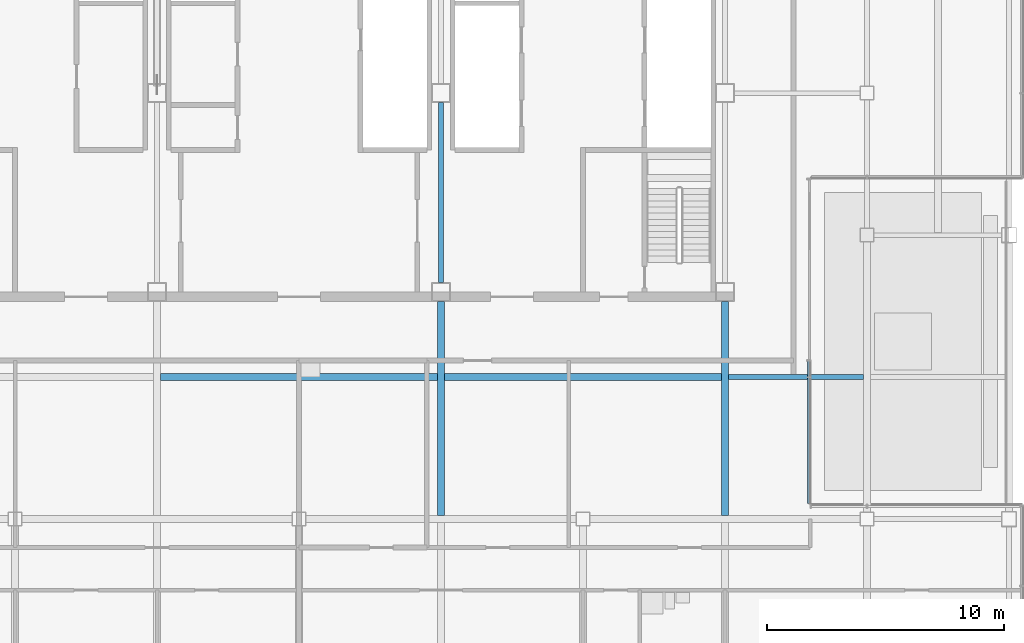
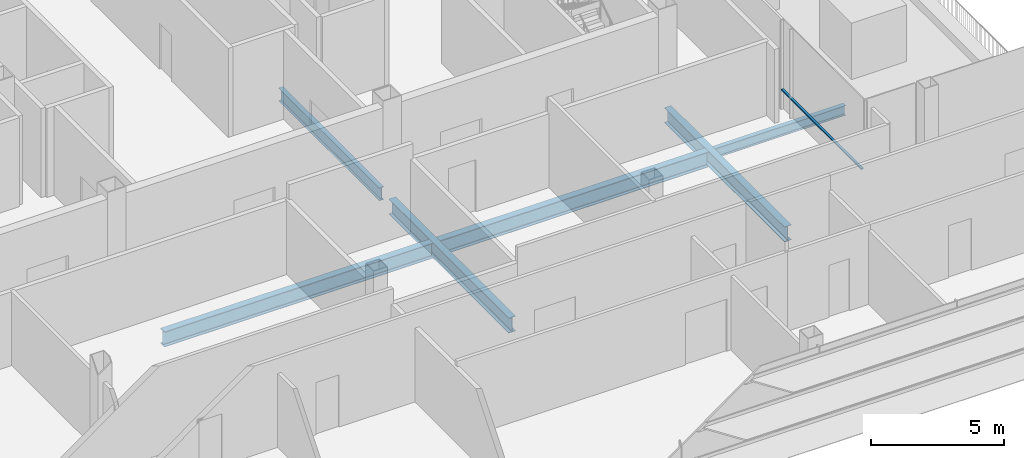
# One storey, part 10 of 30: 6 beams, 1 member, 1 element without a shape of its own.
"""IFC4 building model written with IfcOpenShell, lengths in metres."""

from ifc_helpers import new_model, si_unit, direction, frame, origin, origin_2d, place, context, subcontext, project, spatial, rectangle, i_section, extrude, material, material_profile, profile_set, type_object, element, aggregate, save


model = new_model("IFC4")

# Units and contexts
model_context = context("Model", 3, precision=1e-05, world=origin(), true_north=direction((0.0, 1.0)))
body_context = subcontext(model_context, "Body", "Model", "MODEL_VIEW")
ifc_project = project(units=[si_unit("LENGTHUNIT", "METRE"), si_unit("AREAUNIT", "SQUARE_METRE"), si_unit("VOLUMEUNIT", "CUBIC_METRE"), si_unit("PLANEANGLEUNIT", "RADIAN"), si_unit("MASSUNIT", "GRAM", prefix="KILO")], contexts=[model_context])

# Site, building, storey
site_placement = place(None, origin())
site = spatial("IfcSite", under=ifc_project, at=site_placement, CompositionType="ELEMENT")
building_placement = place(site_placement, origin())
building = spatial("IfcBuilding", under=site, at=building_placement, Name="Sorahane Residences", CompositionType="ELEMENT")
storey_placement = place(building_placement, frame((0.0, 0.0, 229.800048828125)))
storey = spatial("IfcBuildingStorey", under=building, at=storey_placement, Name="L54", CompositionType="ELEMENT", Elevation=229.800048828125)

# Curtain wall, member
ifc_material_1 = material(Name="Dark low-e glass and black anodised aluminium", Category="aluminium")
curtain_wall_type = type_object("IfcCurtainWallType", Name="Curtain wall CW-1 Typical unitised wall", PredefinedType="NOTDEFINED", material=ifc_material_1)
curtain_wall_placement = place(storey_placement, origin())
curtain_wall = element("IfcCurtainWall", 1, at=curtain_wall_placement, inside=storey, type_object=curtain_wall_type, Name="CW-1 curtain wall L54 E2", PredefinedType="NOTDEFINED")
ifc_material_2 = material(Name="Black anodised aluminium", Category="aluminium")
ifc_material_profile_1 = material_profile(ifc_material_2, rectangle(XDim=0.10009765625, YDim=0.06005859375, at=origin_2d()), Name="Curtain wall transom CW-1 black anodised aluminium 60x100")
ifc_profile_set_1 = profile_set([ifc_material_profile_1], Name="Black anodised aluminium")
member_type = type_object("IfcMemberType", Name="Curtain wall transom CW-1 black anodised aluminium 60x100", PredefinedType="USERDEFINED", material=ifc_profile_set_1)
member_placement = place(storey_placement, frame((45.530029296875, 12.64990234375, 0.89990234375), z_axis=(0.0, 1.0, 0.0), x_axis=(-1.0, 0.0, 0.0)))
member = element("IfcMember", 2, at=member_placement, type_object=member_type, Name="CW-1 transom L54 E2", ObjectType="TRANSOM", PredefinedType="USERDEFINED", context=body_context, shape_type="SweptSolid", body=[
    extrude(rectangle(XDim=0.10009765625, YDim=0.06005859375, at=origin_2d()), origin(), (0.0, 0.0, 1.0), 6.025146484375),
])
aggregate(curtain_wall, [member])

# Beams
ifc_material_3 = material(Name="Steel Q355B", Category="steel")
ifc_material_profile_2 = material_profile(ifc_material_3, i_section(OverallWidth=0.199951171875, OverallDepth=0.449951171875, WebThickness=0.009033203125, FlangeThickness=0.013916015625, FilletRadius=0.02001953125, at=origin_2d()), Name="HN 450x200x9x14")
ifc_profile_set_2 = profile_set([ifc_material_profile_2], Name="Steel Q355B")
beam_type_1 = type_object("IfcBeamType", Name="Steel floor beam HN 450x200x9x14 Q355B", PredefinedType="BEAM", material=ifc_profile_set_2)
beam_1_placement = place(storey_placement, frame((42.14990234375, 18.0, -0.405029296875), z_axis=(1.0, 0.0, 0.0), x_axis=(0.0, 1.0, 0.0)))
element("IfcBeam", 3, at=beam_1_placement, inside=storey, type_object=beam_type_1, Name="Beam L54 082", PredefinedType="BEAM", context=body_context, shape_type="SweptSolid", body=[
    extrude(i_section(OverallWidth=0.199951171875, OverallDepth=0.449951171875, WebThickness=0.009033203125, FlangeThickness=0.013916015625, FilletRadius=0.02001953125, at=origin_2d()), origin(), (0.0, 0.0, 1.0), 5.7001953125),
])
ifc_material_4 = material(Name="Steel Q355B", Category="steel")
ifc_material_profile_3 = material_profile(ifc_material_4, i_section(OverallWidth=0.199951171875, OverallDepth=0.60009765625, WebThickness=0.010986328125, FlangeThickness=0.01708984375, FilletRadius=0.02392578125, at=origin_2d()), Name="HN 600x200x11x17")
ifc_profile_set_3 = profile_set([ifc_material_profile_3], Name="Steel Q355B")
beam_type_2 = type_object("IfcBeamType", Name="Steel floor beam HN 600x200x11x17 Q355B", PredefinedType="BEAM", material=ifc_profile_set_3)
beam_2_placement = place(storey_placement, frame((30.0, 22.0, -0.47998046875), z_axis=(0.0, 1.0, 0.0), x_axis=(-1.0, 0.0, 0.0)))
element("IfcBeam", 4, at=beam_2_placement, inside=storey, type_object=beam_type_2, Name="Beam L54 046", PredefinedType="BEAM", context=body_context, shape_type="SweptSolid", body=[
    extrude(i_section(OverallWidth=0.199951171875, OverallDepth=0.60009765625, WebThickness=0.010986328125, FlangeThickness=0.01708984375, FilletRadius=0.02392578125, at=origin_2d()), origin(), (0.0, 0.0, 1.0), 7.60009765625),
])
ifc_material_5 = material(Name="Steel Q355B", Category="steel")
ifc_material_profile_4 = material_profile(ifc_material_5, i_section(OverallWidth=0.300048828125, OverallDepth=0.699951171875, WebThickness=0.012939453125, FlangeThickness=0.02392578125, FilletRadius=0.028076171875, at=origin_2d()), Name="HN 700x300x13x24")
ifc_profile_set_4 = profile_set([ifc_material_profile_4], Name="Steel Q355B")
beam_type_3 = type_object("IfcBeamType", Name="Steel floor beam HN 700x300x13x24 Q355B", PredefinedType="BEAM", material=ifc_profile_set_4)
for number, where, z_axis, x_axis, name in (
    (5, (30.0, 12.14990234375, -0.530029296875), (0.0, 1.0, 0.0), (-1.0, 0.0, 0.0), "Beam L54 045"),
    (6, (42.0, 12.14990234375, -0.530029296875), (0.0, 1.0, 0.0), (-1.0, 0.0, 0.0), "Beam L54 053"),
):
    element("IfcBeam", number, at=place(storey_placement, frame(where, z_axis=z_axis, x_axis=x_axis)), inside=storey, type_object=beam_type_3, Name=name, PredefinedType="BEAM", context=body_context, shape_type="SweptSolid", body=[
        extrude(i_section(OverallWidth=0.300048828125, OverallDepth=0.699951171875, WebThickness=0.012939453125, FlangeThickness=0.02392578125, FilletRadius=0.028076171875, at=origin_2d()), origin(), (0.0, 0.0, 1.0), 9.050048828125),
    ])
for number, where, z_axis, x_axis, name in (
    (7, (18.14990234375, 18.0, -0.530029296875), (1.0, 0.0, 0.0), (0.0, 1.0, 0.0), "Beam L54 080"),
    (8, (30.14990234375, 18.0, -0.530029296875), (1.0, 0.0, 0.0), (0.0, 1.0, 0.0), "Beam L54 081"),
):
    element("IfcBeam", number, at=place(storey_placement, frame(where, z_axis=z_axis, x_axis=x_axis)), inside=storey, type_object=beam_type_3, Name=name, PredefinedType="BEAM", context=body_context, shape_type="SweptSolid", body=[
        extrude(i_section(OverallWidth=0.300048828125, OverallDepth=0.699951171875, WebThickness=0.012939453125, FlangeThickness=0.02392578125, FilletRadius=0.028076171875, at=origin_2d()), origin(), (0.0, 0.0, 1.0), 11.7001953125),
    ])

save(model, "model.ifc")
